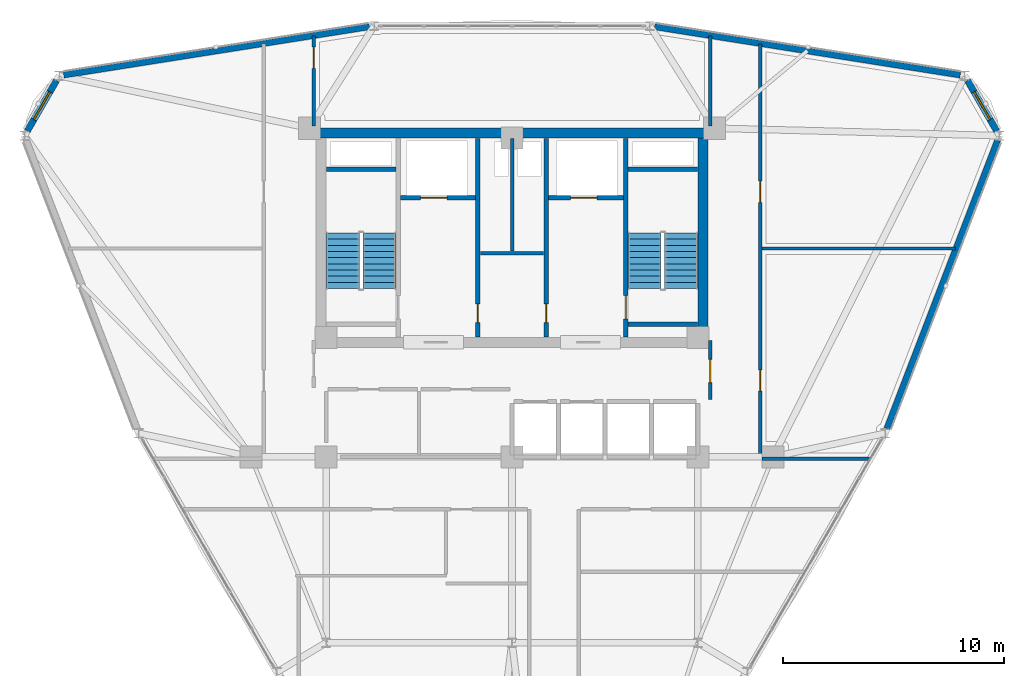
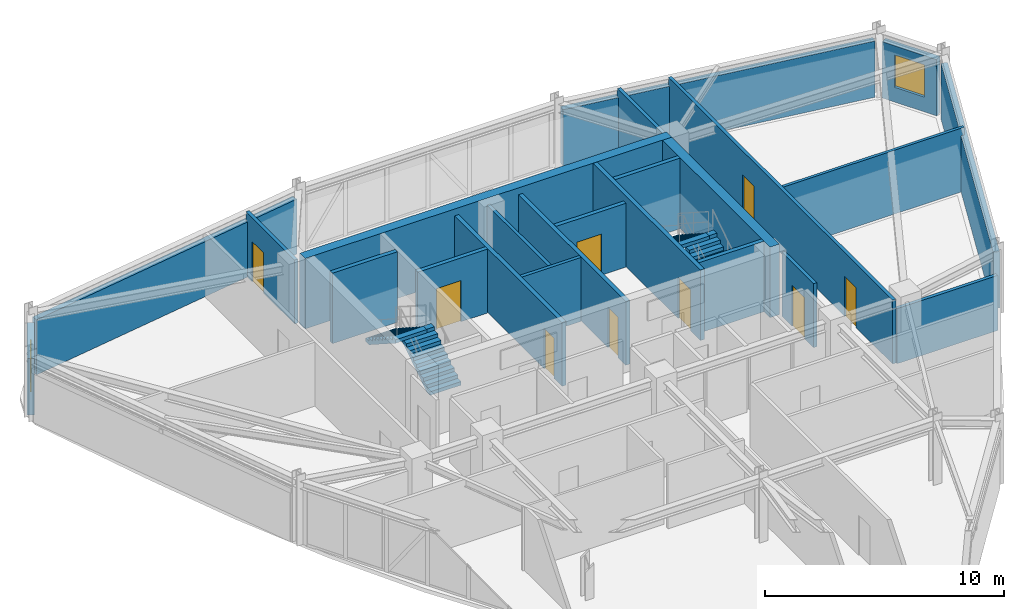
# One storey, part 11 of 14: 23 walls, 9 doors, 4 stair flights, 2 windows, 11 openings, 2 elements without a shape of their own.
"""IFC4 building model written with IfcOpenShell, lengths in metres."""

from ifc_helpers import new_model, si_unit, derived_unit, direction, frame, frame_2d, origin, place, context, subcontext, project, spatial, polyline, rectangle, outline, extrude, material, layer, layer_set, type_object, element, fill, aggregate, save


model = new_model("IFC4")

# Units and contexts
model_context = context("Model", 3, precision=1e-05, world=origin(), true_north=direction((0.0, 1.0)))
body_context = subcontext(model_context, "Body", "Model", "MODEL_VIEW")
ifc_project = project(units=[si_unit("LENGTHUNIT", "METRE"), si_unit("AREAUNIT", "SQUARE_METRE"), si_unit("VOLUMEUNIT", "CUBIC_METRE"), si_unit("PLANEANGLEUNIT", "RADIAN"), si_unit("MASSUNIT", "GRAM", prefix="KILO"), derived_unit("THERMALTRANSMITTANCEUNIT", [(si_unit("POWERUNIT", "WATT"), 1), (si_unit("LENGTHUNIT", "METRE"), -2), (si_unit("THERMODYNAMICTEMPERATUREUNIT", "KELVIN"), -1)])], contexts=[model_context])

# Site, building, storey
site_placement = place(None, origin())
site = spatial("IfcSite", under=ifc_project, at=site_placement, CompositionType="ELEMENT")
building_placement = place(site_placement, origin())
building = spatial("IfcBuilding", under=site, at=building_placement, Name="Korsvarv Bourse and Concert Hall", CompositionType="ELEMENT")
storey_placement = place(building_placement, frame((0.0, 0.0, 197.39990234375)))
storey = spatial("IfcBuildingStorey", under=building, at=storey_placement, Name="L51", CompositionType="ELEMENT", Elevation=197.39990234375)

# Wall
ifc_material_1 = material(Name="Concrete C50/60", Category="concrete")
ifc_layer_1 = layer(ifc_material_1, 0.3798828125)
ifc_layer_set_1 = layer_set([ifc_layer_1], Name="Concrete C50/60")
wall_type_1 = type_object("IfcWallType", Name="WL-CORE-380", PredefinedType="SHEAR", material=ifc_layer_set_1)
wall_1_placement = place(storey_placement, frame((27.610107421875, 45.39990234375, 0.0), z_axis=(0.0, 0.0, 1.0), x_axis=(1.0, 0.0, 0.0)))
element("IfcWall", 1, at=wall_1_placement, inside=storey, type_object=wall_type_1, Name="L51 stair shaft structural wall W-L51-ST1-N", PredefinedType="SHEAR", context=body_context, shape_type="SweptSolid", body=[
    extrude(rectangle(XDim=3.139892578125, YDim=0.199951171875, at=frame_2d((1.56982421875, 0.0))), origin(), (0.0, 0.0, 1.0), 3.60009765625),
])

# Wall, opening, door
wall_2_placement = place(storey_placement, frame((41.139892578125, 37.81005859375, 0.0), z_axis=(0.0, 0.0, 1.0), x_axis=(0.0, 1.0, 0.0)))
wall_2 = element("IfcWall", 2, at=wall_2_placement, inside=storey, type_object=wall_type_1, Name="L51 stair shaft structural wall W-L51-ST2-W", PredefinedType="SHEAR", context=body_context, shape_type="SweptSolid", body=[
    extrude(rectangle(XDim=8.97998046875, YDim=0.199951171875, at=frame_2d((4.489990234375, 0.0))), origin(), (0.0, 0.0, 1.0), 3.60009765625),
])
opening_1_placement = place(wall_2_placement, frame((0.820068359375, 0.0, 0.0)))
opening_1 = element("IfcOpeningElement", 3, at=opening_1_placement, cuts=wall_2, Name="Opening D-01", PredefinedType="OPENING", context=body_context, shape_type="SweptSolid", body=[
    extrude(rectangle(XDim=1.050048828125, YDim=2.10009765625, at=frame_2d((0.52490234375, 1.050048828125))), frame((0.0, 0.10986328125, 0.0), z_axis=(0.0, -1.0, 0.0), x_axis=(1.0, 0.0, 0.0)), (0.0, 0.0, 1.0), 0.219970703125),
])
ifc_material_2 = material(Name="Steel S355 fire door", Category="steel")
door_type_1 = type_object("IfcDoorType", Name="DR-FD60", OperationType="NOTDEFINED", PredefinedType="DOOR", material=ifc_material_2)
door_1_placement = place(opening_1_placement, frame((1.050048828125, 0.0, 0.0), z_axis=(0.0, 0.0, 1.0), x_axis=(-1.0, 0.0, 0.0)))
door_1 = element("IfcDoor", 4, at=door_1_placement, inside=storey, type_object=door_type_1, Name="L51 interior door DR-L51-ST2", OperationType="SINGLE_SWING_RIGHT", OverallHeight=2.10009765625, OverallWidth=1.050048828125, PredefinedType="DOOR", context=body_context, shape_type="SweptSolid", body=[
    extrude(rectangle(XDim=1.050048828125, YDim=2.10009765625, at=frame_2d((0.52490234375, 1.050048828125))), frame((0.0, 0.02490234375, 0.0), z_axis=(0.0, -1.0, 0.0), x_axis=(1.0, 0.0, 0.0)), (0.0, 0.0, 1.0), 0.050048828125),
])
fill(opening_1, door_1)

# Walls
for number, where, z_axis, x_axis, name in (
    (5, (41.25, 45.39990234375, 0.0), (0.0, 0.0, 1.0), (1.0, 0.0, 0.0), "L51 stair shaft structural wall W-L51-ST2-N"),
    (6, (41.25, 38.39990234375, 0.0), (0.0, 0.0, 1.0), (1.0, 0.0, 0.0), "L51 stair shaft structural wall W-L51-ST2-S"),
):
    element("IfcWall", number, at=place(storey_placement, frame(where, z_axis=z_axis, x_axis=x_axis)), inside=storey, type_object=wall_type_1, Name=name, PredefinedType="SHEAR", context=body_context, shape_type="SweptSolid", body=[
        extrude(rectangle(XDim=3.139892578125, YDim=0.199951171875, at=frame_2d((1.56982421875, 0.0))), origin(), (0.0, 0.0, 1.0), 3.60009765625),
    ])
ifc_material_3 = material(Name="Concrete C55/67", Category="concrete")
ifc_layer_2 = layer(ifc_material_3, 0.449951171875)
ifc_layer_set_2 = layer_set([ifc_layer_2], Name="Concrete C55/67")
wall_type_2 = type_object("IfcWallType", Name="WL-CORE-450", PredefinedType="SHEAR", material=ifc_layer_set_2)
wall_3_placement = place(storey_placement, frame((27.14990234375, 47.02490234375, 0.0), z_axis=(0.0, 0.0, 1.0), x_axis=(1.0, 0.0, 0.0)))
element("IfcWall", 7, at=wall_3_placement, inside=storey, type_object=wall_type_2, Name="L51 North Core Shear Wall", PredefinedType="SHEAR", context=body_context, shape_type="SweptSolid", body=[
    extrude(rectangle(XDim=17.7001953125, YDim=0.449951171875, at=frame_2d((8.85009765625, 0.0))), origin(), (0.0, 0.0, 1.0), 3.60009765625),
])
wall_4_placement = place(storey_placement, frame((44.625, 37.800048828125, 0.0), z_axis=(0.0, 0.0, 1.0), x_axis=(0.0, 1.0, 0.0)))
element("IfcWall", 8, at=wall_4_placement, inside=storey, type_object=wall_type_2, Name="L51 East Core Shear Wall", PredefinedType="SHEAR", context=body_context, shape_type="SweptSolid", body=[
    extrude(rectangle(XDim=9.0, YDim=0.449951171875, at=frame_2d((4.5, 0.0))), origin(), (0.0, 0.0, 1.0), 3.60009765625),
])

# Wall, opening, window
ifc_material_4 = material(Name="Precast concrete C45/55 with terracotta rainscreen", Category="concrete")
ifc_layer_3 = layer(ifc_material_4, 0.300048828125)
ifc_layer_set_3 = layer_set([ifc_layer_3], Name="Precast concrete C45/55 with terracotta rainscreen")
wall_type_3 = type_object("IfcWallType", Name="WL-EXT-TC1", PredefinedType="SOLIDWALL", material=ifc_layer_set_3)
wall_5_placement = place(storey_placement, frame((57.9072265625, 47.12548828125, 0.0), z_axis=(0.0, 0.0, 1.0), x_axis=(-0.500061666259, 0.865989797826, 0.0)))
wall_5 = element("IfcWall", 9, at=wall_5_placement, inside=storey, type_object=wall_type_3, Name="L51 terracotta exterior wall EW-L51-B01", PredefinedType="SOLIDWALL", context=body_context, shape_type="SweptSolid", body=[
    extrude(rectangle(XDim=2.637451171875, YDim=0.300048828125, at=frame_2d((1.31884765625, 0.0))), origin(), (0.0, 0.0, 1.0), 2.8701171875),
])
opening_2_placement = place(wall_5_placement, frame((0.59375, 0.0, 0.75)))
opening_2 = element("IfcOpeningElement", 10, at=opening_2_placement, cuts=wall_5, Name="Opening W-02", PredefinedType="OPENING", context=body_context, shape_type="SweptSolid", body=[
    extrude(rectangle(XDim=1.449951171875, YDim=1.64990234375, at=frame_2d((0.72509765625, 0.824951171875))), frame((0.0, 0.16015625, 0.0), z_axis=(0.0, -1.0, 0.0), x_axis=(1.0, 0.0, 0.0)), (0.0, 0.0, 1.0), 0.320068359375),
])
ifc_material_5 = material(Name="Thermally broken aluminium frame with triple low-E glass", Category="glass")
window_type = type_object("IfcWindowType", Name="WIN-TW2", PartitioningType="SINGLE_PANEL", PredefinedType="WINDOW", material=ifc_material_5)
window_1_placement = place(opening_2_placement, origin())
window_1 = element("IfcWindow", 11, at=window_1_placement, inside=storey, type_object=window_type, Name="L51 punched facade window W-02", OverallHeight=1.64990234375, OverallWidth=1.449951171875, PartitioningType="SINGLE_PANEL", PredefinedType="WINDOW", context=body_context, shape_type="SweptSolid", body=[
    extrude(rectangle(XDim=1.449951171875, YDim=1.64990234375, at=frame_2d((0.72509765625, 0.824951171875))), frame((0.0, 0.030029296875, 0.0), z_axis=(0.0, -1.0, 0.0), x_axis=(1.0, 0.0, 0.0)), (0.0, 0.0, 1.0), 0.06005859375),
])
fill(opening_2, window_1)

wall_6_placement = place(storey_placement, frame((15.41162109375, 49.409423828125, 0.0), z_axis=(0.0, 0.0, 1.0), x_axis=(-0.500061666259, -0.865989797826, 0.0)))
wall_6 = element("IfcWall", 12, at=wall_6_placement, inside=storey, type_object=wall_type_3, Name="L51 terracotta exterior wall EW-L51-B05", PredefinedType="SOLIDWALL", context=body_context, shape_type="SweptSolid", body=[
    extrude(rectangle(XDim=2.637451171875, YDim=0.300048828125, at=frame_2d((1.31884765625, 0.0))), origin(), (0.0, 0.0, 1.0), 2.8701171875),
])
opening_3_placement = place(wall_6_placement, frame((0.59375, 0.0, 0.75)))
opening_3 = element("IfcOpeningElement", 13, at=opening_3_placement, cuts=wall_6, Name="Opening W-02", PredefinedType="OPENING", context=body_context, shape_type="SweptSolid", body=[
    extrude(rectangle(XDim=1.449951171875, YDim=1.64990234375, at=frame_2d((0.72509765625, 0.824951171875))), frame((0.0, 0.16015625, 0.0), z_axis=(0.0, -1.0, 0.0), x_axis=(1.0, 0.0, 0.0)), (0.0, 0.0, 1.0), 0.320068359375),
])
window_2_placement = place(opening_3_placement, origin())
window_2 = element("IfcWindow", 14, at=window_2_placement, inside=storey, type_object=window_type, Name="L51 punched facade window W-02", OverallHeight=1.64990234375, OverallWidth=1.449951171875, PartitioningType="SINGLE_PANEL", PredefinedType="WINDOW", context=body_context, shape_type="SweptSolid", body=[
    extrude(rectangle(XDim=1.449951171875, YDim=1.64990234375, at=frame_2d((0.72509765625, 0.824951171875))), frame((0.0, 0.030029296875, 0.0), z_axis=(0.0, -1.0, 0.0), x_axis=(1.0, 0.0, 0.0)), (0.0, 0.0, 1.0), 0.06005859375),
])
fill(opening_3, window_2)

# Walls
ifc_material_6 = material(Name="Precast concrete C45/55 with fluted terracotta pier", Category="concrete")
ifc_layer_4 = layer(ifc_material_6, 0.280029296875)
ifc_layer_set_4 = layer_set([ifc_layer_4], Name="Precast concrete C45/55 with fluted terracotta pier")
wall_type_4 = type_object("IfcWallType", Name="WL-EXT-TC2", PredefinedType="SOLIDWALL", material=ifc_layer_set_4)
wall_7_placement = place(storey_placement, frame((56.257568359375, 49.655517578125, 0.0), z_axis=(0.0, 0.0, 1.0), x_axis=(-0.987743003355, 0.15608894683, 0.0)))
element("IfcWall", 15, at=wall_7_placement, inside=storey, type_object=wall_type_4, Name="L51 terracotta exterior wall EW-L51-B02", PredefinedType="SOLIDWALL", context=body_context, shape_type="SweptSolid", body=[
    extrude(rectangle(XDim=13.98779296875, YDim=0.280029296875, at=frame_2d((6.993896484375, 0.0))), origin(), (0.0, 0.0, 1.0), 2.8701171875),
])
wall_8_placement = place(storey_placement, frame((29.558837890625, 51.8388671875, 0.0), z_axis=(0.0, 0.0, 1.0), x_axis=(-0.987743003355, -0.15608894683, 0.0)))
element("IfcWall", 16, at=wall_8_placement, inside=storey, type_object=wall_type_4, Name="L51 terracotta exterior wall EW-L51-B04", PredefinedType="SOLIDWALL", context=body_context, shape_type="SweptSolid", body=[
    extrude(rectangle(XDim=13.98779296875, YDim=0.280029296875, at=frame_2d((6.993896484375, 0.0))), origin(), (0.0, 0.0, 1.0), 2.81005859375),
])
wall_9_placement = place(storey_placement, frame((52.943603515625, 33.67529296875, 0.0), z_axis=(0.0, 0.0, 1.0), x_axis=(0.358703519473, 0.933451544065, 0.0)))
element("IfcWall", 17, at=wall_9_placement, inside=storey, type_object=wall_type_4, Name="L51 terracotta exterior wall EW-L51-B12", PredefinedType="SOLIDWALL", context=body_context, shape_type="SweptSolid", body=[
    extrude(rectangle(XDim=13.95263671875, YDim=0.280029296875, at=frame_2d((6.976318359375, 0.0))), origin(), (0.0, 0.0, 1.0), 2.8701171875),
])

# Wall, opening, door
ifc_material_7 = material(Name="Reinforced concrete blockwork C35/45 fire wall", Category="concrete")
ifc_layer_5 = layer(ifc_material_7, 0.199951171875)
ifc_layer_set_5 = layer_set([ifc_layer_5], Name="Reinforced concrete blockwork C35/45 fire wall")
wall_type_5 = type_object("IfcWallType", Name="WL-INT-EI120", PredefinedType="PARTITIONING", material=ifc_layer_set_5)
wall_10_placement = place(storey_placement, frame((30.969970703125, 44.10009765625, 0.0), z_axis=(0.0, 0.0, 1.0), x_axis=(1.0, 0.0, 0.0)))
wall_10 = element("IfcWall", 18, at=wall_10_placement, inside=storey, type_object=wall_type_5, Name="L51 interior partition wall W-L51-FF1-S", PredefinedType="PARTITIONING", context=body_context, shape_type="SweptSolid", body=[
    extrude(rectangle(XDim=3.380126953125, YDim=0.199951171875, at=frame_2d((1.68994140625, 0.0))), origin(), (0.0, 0.0, 1.0), 3.260009765625),
])
opening_4_placement = place(wall_10_placement, frame((0.89990234375, 0.0, 0.0)))
opening_4 = element("IfcOpeningElement", 19, at=opening_4_placement, cuts=wall_10, Name="Opening LD-1", PredefinedType="OPENING", context=body_context, shape_type="SweptSolid", body=[
    extrude(rectangle(XDim=1.199951171875, YDim=2.10009765625, at=frame_2d((0.60009765625, 1.050048828125))), frame((0.0, 0.10986328125, 0.0), z_axis=(0.0, -1.0, 0.0), x_axis=(1.0, 0.0, 0.0)), (0.0, 0.0, 1.0), 0.219970703125),
])
ifc_material_8 = material(Name="Stainless Steel S355 firefighting lift landing door", Category="steel")
door_type_2 = type_object("IfcDoorType", Name="DR-LIFT-FF", OperationType="DOUBLE_DOOR_SLIDING", PredefinedType="DOOR", material=ifc_material_8)
door_2_placement = place(opening_4_placement, origin())
door_2 = element("IfcDoor", 20, at=door_2_placement, inside=storey, type_object=door_type_2, Name="L51 lift sliding landing door LD-L51-FF1", OperationType="DOUBLE_DOOR_SLIDING", OverallHeight=2.10009765625, OverallWidth=1.199951171875, PredefinedType="DOOR", context=body_context, shape_type="SweptSolid", body=[
    extrude(rectangle(XDim=1.199951171875, YDim=2.10009765625, at=frame_2d((0.60009765625, 1.050048828125))), frame((0.0, 0.02490234375, 0.0), z_axis=(0.0, -1.0, 0.0), x_axis=(1.0, 0.0, 0.0)), (0.0, 0.0, 1.0), 0.050048828125),
])
fill(opening_4, door_2)

wall_11_placement = place(storey_placement, frame((37.64990234375, 44.10009765625, 0.0), z_axis=(0.0, 0.0, 1.0), x_axis=(1.0, 0.0, 0.0)))
wall_11 = element("IfcWall", 21, at=wall_11_placement, inside=storey, type_object=wall_type_5, Name="L51 interior partition wall W-L51-FF2-S", PredefinedType="PARTITIONING", context=body_context, shape_type="SweptSolid", body=[
    extrude(rectangle(XDim=3.380126953125, YDim=0.199951171875, at=frame_2d((1.68994140625, 0.0))), origin(), (0.0, 0.0, 1.0), 3.260009765625),
])
opening_5_placement = place(wall_11_placement, frame((1.0, 0.0, 0.0)))
opening_5 = element("IfcOpeningElement", 22, at=opening_5_placement, cuts=wall_11, Name="Opening LD-1", PredefinedType="OPENING", context=body_context, shape_type="SweptSolid", body=[
    extrude(rectangle(XDim=1.199951171875, YDim=2.10009765625, at=frame_2d((0.60009765625, 1.050048828125))), frame((0.0, 0.10986328125, 0.0), z_axis=(0.0, -1.0, 0.0), x_axis=(1.0, 0.0, 0.0)), (0.0, 0.0, 1.0), 0.219970703125),
])
door_3_placement = place(opening_5_placement, origin())
door_3 = element("IfcDoor", 23, at=door_3_placement, inside=storey, type_object=door_type_2, Name="L51 lift sliding landing door LD-L51-FF2", OperationType="DOUBLE_DOOR_SLIDING", OverallHeight=2.10009765625, OverallWidth=1.199951171875, PredefinedType="DOOR", context=body_context, shape_type="SweptSolid", body=[
    extrude(rectangle(XDim=1.199951171875, YDim=2.10009765625, at=frame_2d((0.60009765625, 1.050048828125))), frame((0.0, 0.02490234375, 0.0), z_axis=(0.0, -1.0, 0.0), x_axis=(1.0, 0.0, 0.0)), (0.0, 0.0, 1.0), 0.050048828125),
])
fill(opening_5, door_3)

wall_12_placement = place(storey_placement, frame((34.4599609375, 37.81005859375, 0.0), z_axis=(0.0, 0.0, 1.0), x_axis=(0.0, 1.0, 0.0)))
wall_12 = element("IfcWall", 24, at=wall_12_placement, inside=storey, type_object=wall_type_5, Name="L51 interior partition wall W-L51-CSB-W", PredefinedType="PARTITIONING", context=body_context, shape_type="SweptSolid", body=[
    extrude(rectangle(XDim=8.97998046875, YDim=0.199951171875, at=frame_2d((4.489990234375, 0.0))), origin(), (0.0, 0.0, 1.0), 3.260009765625),
])
opening_6_placement = place(wall_12_placement, frame((0.64990234375, 0.0, 0.0)))
opening_6 = element("IfcOpeningElement", 25, at=opening_6_placement, cuts=wall_12, Name="Opening D-05", PredefinedType="OPENING", context=body_context, shape_type="SweptSolid", body=[
    extrude(rectangle(XDim=0.85009765625, YDim=2.050048828125, at=frame_2d((0.425048828125, 1.02490234375))), frame((0.0, 0.10986328125, 0.0), z_axis=(0.0, -1.0, 0.0), x_axis=(1.0, 0.0, 0.0)), (0.0, 0.0, 1.0), 0.219970703125),
])
door_type_3 = type_object("IfcDoorType", Name="DR-FD60-850X2050", OperationType="NOTDEFINED", PredefinedType="DOOR", material=ifc_material_2)
door_4_placement = place(opening_6_placement, frame((0.85009765625, 0.0, 0.0), z_axis=(0.0, 0.0, 1.0), x_axis=(-1.0, 0.0, 0.0)))
door_4 = element("IfcDoor", 26, at=door_4_placement, inside=storey, type_object=door_type_3, Name="L51 interior door DR-L51-CSB1", OperationType="SINGLE_SWING_LEFT", OverallHeight=2.050048828125, OverallWidth=0.85009765625, PredefinedType="DOOR", context=body_context, shape_type="SweptSolid", body=[
    extrude(rectangle(XDim=0.85009765625, YDim=2.050048828125, at=frame_2d((0.425048828125, 1.02490234375))), frame((0.0, 0.02490234375, 0.0), z_axis=(0.0, -1.0, 0.0), x_axis=(1.0, 0.0, 0.0)), (0.0, 0.0, 1.0), 0.050048828125),
])
fill(opening_6, door_4)

wall_13_placement = place(storey_placement, frame((37.5400390625, 37.81005859375, 0.0), z_axis=(0.0, 0.0, 1.0), x_axis=(0.0, 1.0, 0.0)))
wall_13 = element("IfcWall", 27, at=wall_13_placement, inside=storey, type_object=wall_type_5, Name="L51 interior partition wall W-L51-CSB-E", PredefinedType="PARTITIONING", context=body_context, shape_type="SweptSolid", body=[
    extrude(rectangle(XDim=8.97998046875, YDim=0.199951171875, at=frame_2d((4.489990234375, 0.0))), origin(), (0.0, 0.0, 1.0), 3.260009765625),
])
opening_7_placement = place(wall_13_placement, frame((0.64990234375, 0.0, 0.0)))
opening_7 = element("IfcOpeningElement", 28, at=opening_7_placement, cuts=wall_13, Name="Opening D-05", PredefinedType="OPENING", context=body_context, shape_type="SweptSolid", body=[
    extrude(rectangle(XDim=0.85009765625, YDim=2.050048828125, at=frame_2d((0.425048828125, 1.02490234375))), frame((0.0, 0.10986328125, 0.0), z_axis=(0.0, -1.0, 0.0), x_axis=(1.0, 0.0, 0.0)), (0.0, 0.0, 1.0), 0.219970703125),
])
door_5_placement = place(opening_7_placement, origin())
door_5 = element("IfcDoor", 29, at=door_5_placement, inside=storey, type_object=door_type_3, Name="L51 interior door DR-L51-CSB2", OperationType="SINGLE_SWING_RIGHT", OverallHeight=2.050048828125, OverallWidth=0.85009765625, PredefinedType="DOOR", context=body_context, shape_type="SweptSolid", body=[
    extrude(rectangle(XDim=0.85009765625, YDim=2.050048828125, at=frame_2d((0.425048828125, 1.02490234375))), frame((0.0, 0.02490234375, 0.0), z_axis=(0.0, -1.0, 0.0), x_axis=(1.0, 0.0, 0.0)), (0.0, 0.0, 1.0), 0.050048828125),
])
fill(opening_7, door_5)

# Walls
ifc_material_9 = material(Name="Double-stud fire-rated acoustic partition", Category="gypsum")
ifc_layer_6 = layer(ifc_material_9, 0.159912109375)
ifc_layer_set_6 = layer_set([ifc_layer_6], Name="Double-stud fire-rated acoustic partition")
wall_type_6 = type_object("IfcWallType", Name="WL-INT-EI60", PredefinedType="PARTITIONING", material=ifc_layer_set_6)
wall_14_placement = place(storey_placement, frame((34.570068359375, 41.60009765625, 0.0), z_axis=(0.0, 0.0, 1.0), x_axis=(1.0, 0.0, 0.0)))
element("IfcWall", 30, at=wall_14_placement, inside=storey, type_object=wall_type_6, Name="L51 interior partition wall W-L51-K1", PredefinedType="PARTITIONING", context=body_context, shape_type="SweptSolid", body=[
    extrude(rectangle(XDim=2.85986328125, YDim=0.159912109375, at=frame_2d((1.429931640625, 0.0))), origin(), (0.0, 0.0, 1.0), 3.260009765625),
])
wall_15_placement = place(storey_placement, frame((36.0048828125, 41.68994140625, 0.0), z_axis=(0.0, 0.0, 1.0), x_axis=(0.0, 1.0, 0.0)))
element("IfcWall", 31, at=wall_15_placement, inside=storey, type_object=wall_type_6, Name="L51 interior partition wall W-L51-K2", PredefinedType="PARTITIONING", context=body_context, shape_type="SweptSolid", body=[
    extrude(rectangle(XDim=5.10009765625, YDim=0.159912109375, at=frame_2d((2.550048828125, 0.0))), origin(), (0.0, 0.0, 1.0), 3.260009765625),
])

# Wall, opening, door
wall_16_placement = place(storey_placement, frame((44.9599609375, 35.0, 0.0), z_axis=(0.0, 0.0, 1.0), x_axis=(0.0, 1.0, 0.0)))
wall_16 = element("IfcWall", 32, at=wall_16_placement, inside=storey, type_object=wall_type_6, Name="L51 interior partition wall W-L51-LOB-E", PredefinedType="PARTITIONING", context=body_context, shape_type="SweptSolid", body=[
    extrude(rectangle(XDim=2.64990234375, YDim=0.159912109375, at=frame_2d((1.324951171875, 0.0))), origin(), (0.0, 0.0, 1.0), 3.260009765625),
])
opening_8_placement = place(wall_16_placement, frame((0.75, 0.0, 0.0)))
opening_8 = element("IfcOpeningElement", 33, at=opening_8_placement, cuts=wall_16, Name="Opening D-01", PredefinedType="OPENING", context=body_context, shape_type="SweptSolid", body=[
    extrude(rectangle(XDim=1.050048828125, YDim=2.10009765625, at=frame_2d((0.52490234375, 1.050048828125))), frame((0.0, 0.08984375, 0.0), z_axis=(0.0, -1.0, 0.0), x_axis=(1.0, 0.0, 0.0)), (0.0, 0.0, 1.0), 0.179931640625),
])
door_6_placement = place(opening_8_placement, origin())
door_6 = element("IfcDoor", 34, at=door_6_placement, inside=storey, type_object=door_type_1, Name="L51 interior door DR-L51-LOBE", OperationType="SINGLE_SWING_RIGHT", OverallHeight=2.10009765625, OverallWidth=1.050048828125, PredefinedType="DOOR", context=body_context, shape_type="SweptSolid", body=[
    extrude(rectangle(XDim=1.050048828125, YDim=2.10009765625, at=frame_2d((0.52490234375, 1.050048828125))), frame((0.0, 0.02490234375, 0.0), z_axis=(0.0, -1.0, 0.0), x_axis=(1.0, 0.0, 0.0)), (0.0, 0.0, 1.0), 0.050048828125),
])
fill(opening_8, door_6)

# Wall, openings, doors
wall_17_placement = place(storey_placement, frame((47.22509765625, 32.31005859375, 0.0), z_axis=(0.0, 0.0, 1.0), x_axis=(0.0, 1.0, 0.0)))
wall_17 = element("IfcWall", 35, at=wall_17_placement, inside=storey, type_object=wall_type_6, Name="L51 interior partition wall W-L51-TCOR-01", PredefinedType="PARTITIONING", context=body_context, shape_type="SweptSolid", body=[
    extrude(rectangle(XDim=18.7529296875, YDim=0.159912109375, at=frame_2d((9.37646484375, 0.0))), origin(), (0.0, 0.0, 1.0), 3.260009765625),
])
opening_9_placement = place(wall_17_placement, frame((3.060302734375, 0.0, 0.0)))
opening_9 = element("IfcOpeningElement", 36, at=opening_9_placement, cuts=wall_17, Name="Opening D-02", PredefinedType="OPENING", context=body_context, shape_type="SweptSolid", body=[
    extrude(rectangle(XDim=0.949951171875, YDim=2.050048828125, at=frame_2d((0.47509765625, 1.02490234375))), frame((0.0, 0.08984375, 0.0), z_axis=(0.0, -1.0, 0.0), x_axis=(1.0, 0.0, 0.0)), (0.0, 0.0, 1.0), 0.179931640625),
])
opening_10_placement = place(wall_17_placement, frame((11.593017578125, 0.0, 0.0)))
opening_10 = element("IfcOpeningElement", 37, at=opening_10_placement, cuts=wall_17, Name="Opening D-02", PredefinedType="OPENING", context=body_context, shape_type="SweptSolid", body=[
    extrude(rectangle(XDim=0.949951171875, YDim=2.050048828125, at=frame_2d((0.47509765625, 1.02490234375))), frame((0.0, 0.08984375, 0.0), z_axis=(0.0, -1.0, 0.0), x_axis=(1.0, 0.0, 0.0)), (0.0, 0.0, 1.0), 0.179931640625),
])
ifc_material_10 = material(Name="Timber and steel acoustic fire door", Category="wood")
door_type_4 = type_object("IfcDoorType", Name="DR-FD30", OperationType="NOTDEFINED", PredefinedType="DOOR", material=ifc_material_10)
door_7_placement = place(opening_9_placement, origin())
door_7 = element("IfcDoor", 38, at=door_7_placement, inside=storey, type_object=door_type_4, Name="L51 interior door DR-L51-TCOR-FN81", OperationType="SINGLE_SWING_LEFT", OverallHeight=2.050048828125, OverallWidth=0.949951171875, PredefinedType="DOOR", context=body_context, shape_type="SweptSolid", body=[
    extrude(rectangle(XDim=0.949951171875, YDim=2.050048828125, at=frame_2d((0.47509765625, 1.02490234375))), frame((0.0, 0.02490234375, 0.0), z_axis=(0.0, -1.0, 0.0), x_axis=(1.0, 0.0, 0.0)), (0.0, 0.0, 1.0), 0.050048828125),
])
fill(opening_9, door_7)
door_8_placement = place(opening_10_placement, origin())
door_8 = element("IfcDoor", 39, at=door_8_placement, inside=storey, type_object=door_type_4, Name="L51 interior door DR-L51-TCOR-RM22", OperationType="SINGLE_SWING_RIGHT", OverallHeight=2.050048828125, OverallWidth=0.949951171875, PredefinedType="DOOR", context=body_context, shape_type="SweptSolid", body=[
    extrude(rectangle(XDim=0.949951171875, YDim=2.050048828125, at=frame_2d((0.47509765625, 1.02490234375))), frame((0.0, 0.02490234375, 0.0), z_axis=(0.0, -1.0, 0.0), x_axis=(1.0, 0.0, 0.0)), (0.0, 0.0, 1.0), 0.050048828125),
])
fill(opening_10, door_8)

# Wall
wall_18_placement = place(storey_placement, frame((47.306884765625, 32.31494140625, 0.0), z_axis=(0.0, 0.0, 1.0), x_axis=(1.0, 0.0, 0.0)))
element("IfcWall", 40, at=wall_18_placement, inside=storey, type_object=wall_type_6, Name="L51 interior partition wall W-L51-TCOR-07", PredefinedType="PARTITIONING", context=body_context, shape_type="SweptSolid", body=[
    extrude(rectangle(XDim=4.872802734375, YDim=0.159912109375, at=frame_2d((2.4365234375, 0.0))), origin(), (0.0, 0.0, 1.0), 2.81005859375),
])

# Wall, opening, door
wall_19_placement = place(storey_placement, frame((27.034912109375, 47.340087890625, 0.0), z_axis=(0.0, 0.0, 1.0), x_axis=(0.0, 1.0, 0.0)))
wall_19 = element("IfcWall", 41, at=wall_19_placement, inside=storey, type_object=wall_type_6, Name="L51 interior partition wall W-L51-TCOR-09", PredefinedType="PARTITIONING", context=body_context, shape_type="SweptSolid", body=[
    extrude(rectangle(XDim=4.079833984375, YDim=0.159912109375, at=frame_2d((2.0400390625, 0.0))), origin(), (0.0, 0.0, 1.0), 3.260009765625),
])
opening_11_placement = place(wall_19_placement, frame((2.618408203125, 0.0, 0.0)))
opening_11 = element("IfcOpeningElement", 42, at=opening_11_placement, cuts=wall_19, Name="Opening D-02", PredefinedType="OPENING", context=body_context, shape_type="SweptSolid", body=[
    extrude(rectangle(XDim=0.949951171875, YDim=2.050048828125, at=frame_2d((0.47509765625, 1.02490234375))), frame((0.0, 0.08984375, 0.0), z_axis=(0.0, -1.0, 0.0), x_axis=(1.0, 0.0, 0.0)), (0.0, 0.0, 1.0), 0.179931640625),
])
door_9_placement = place(opening_11_placement, origin())
door_9 = element("IfcDoor", 43, at=door_9_placement, inside=storey, type_object=door_type_4, Name="L51 interior door DR-L51-TCOR-FN55", OperationType="SINGLE_SWING_RIGHT", OverallHeight=2.050048828125, OverallWidth=0.949951171875, PredefinedType="DOOR", context=body_context, shape_type="SweptSolid", body=[
    extrude(rectangle(XDim=0.949951171875, YDim=2.050048828125, at=frame_2d((0.47509765625, 1.02490234375))), frame((0.0, 0.02490234375, 0.0), z_axis=(0.0, -1.0, 0.0), x_axis=(1.0, 0.0, 0.0)), (0.0, 0.0, 1.0), 0.050048828125),
])
fill(opening_11, door_9)

# Walls
wall_20_placement = place(storey_placement, frame((44.965087890625, 47.340087890625, 0.0), z_axis=(0.0, 0.0, 1.0), x_axis=(0.0, 1.0, 0.0)))
element("IfcWall", 44, at=wall_20_placement, inside=storey, type_object=wall_type_6, Name="L51 interior partition wall W-L51-TCOR-10", PredefinedType="PARTITIONING", context=body_context, shape_type="SweptSolid", body=[
    extrude(rectangle(XDim=4.079833984375, YDim=0.159912109375, at=frame_2d((2.0400390625, 0.0))), origin(), (0.0, 0.0, 1.0), 3.260009765625),
])
ifc_material_11 = material(Name="Insulated steel-stud office acoustic partition", Category="gypsum")
ifc_layer_7 = layer(ifc_material_11, 0.139892578125)
ifc_layer_set_7 = layer_set([ifc_layer_7], Name="Insulated steel-stud office acoustic partition")
wall_type_7 = type_object("IfcWallType", Name="WL-INT-P1", PredefinedType="PARTITIONING", material=ifc_layer_set_7)
wall_21_placement = place(storey_placement, frame((47.306884765625, 41.804931640625, 0.0), z_axis=(0.0, 0.0, 1.0), x_axis=(1.0, 0.0, 0.0)))
element("IfcWall", 45, at=wall_21_placement, inside=storey, type_object=wall_type_7, Name="L51 interior partition wall W-L51-TCOR-13", PredefinedType="PARTITIONING", context=body_context, shape_type="SweptSolid", body=[
    extrude(rectangle(XDim=8.74072265625, YDim=0.139892578125, at=frame_2d((4.370361328125, 0.0))), origin(), (0.0, 0.0, 1.0), 3.260009765625),
])

# Stair, stair flights
ifc_material_12 = material(Name="Precast concrete C45/55", Category="concrete")
stair_type = type_object("IfcStairType", Name="STR-TYPE-04", PredefinedType="HALF_TURN_STAIR", material=ifc_material_12)
stair_1_placement = place(storey_placement, origin())
stair_1 = element("IfcStair", 46, at=stair_1_placement, inside=storey, type_object=stair_type, Name="L51 Tower West Exit Stair ST-T1", PredefinedType="HALF_TURN_STAIR")
stair_flight_type = type_object("IfcStairFlightType", Name="FLT-TYPE-04", PredefinedType="STRAIGHT", material=ifc_material_12)
stair_flight_1_placement = place(storey_placement, frame((30.010009765625, 40.0, 0.0), z_axis=(0.0, 0.0, 1.0), x_axis=(0.0, 1.0, 0.0)))
stair_flight_1 = element("IfcStairFlight", 47, at=stair_flight_1_placement, type_object=stair_flight_type, Name="ST-T1 flight 1", NumberOfRisers=10, NumberOfTreads=9, PredefinedType="STRAIGHT", RiserHeight=0.18, TreadLength=0.28, context=body_context, shape_type="SweptSolid", body=[
    extrude(outline(polyline([(0.0, 0.0), (0.0, 0.179931640625), (0.280029296875, 0.179931640625), (0.280029296875, 0.360107421875), (0.56005859375, 0.360107421875), (0.56005859375, 0.5400390625), (0.840087890625, 0.5400390625), (0.840087890625, 0.719970703125), (1.1201171875, 0.719970703125), (1.1201171875, 0.89990234375), (1.39990234375, 0.89990234375), (1.39990234375, 1.080078125), (1.679931640625, 1.080078125), (1.679931640625, 1.260009765625), (1.9599609375, 1.260009765625), (1.9599609375, 1.43994140625), (2.239990234375, 1.43994140625), (2.239990234375, 1.6201171875), (2.52001953125, 1.6201171875), (2.52001953125, 1.800048828125), (2.52001953125, 1.44189453125), (0.277099609375, 0.0), (0.0, 0.0)])), frame((0.0, 0.75, 0.0), z_axis=(0.0, -1.0, 0.0), x_axis=(1.0, 0.0, 0.0)), (0.0, 0.0, 1.0), 1.5),
])
stair_flight_2_placement = place(storey_placement, frame((28.35009765625, 42.52001953125, 1.800048828125), z_axis=(0.0, 0.0, 1.0), x_axis=(0.0, -1.0, 0.0)))
stair_flight_2 = element("IfcStairFlight", 48, at=stair_flight_2_placement, type_object=stair_flight_type, Name="ST-T1 flight 2", NumberOfRisers=10, NumberOfTreads=9, PredefinedType="STRAIGHT", RiserHeight=0.18, TreadLength=0.28, context=body_context, shape_type="SweptSolid", body=[
    extrude(outline(polyline([(0.0, 0.0), (0.0, 0.179931640625), (0.280029296875, 0.179931640625), (0.280029296875, 0.360107421875), (0.56005859375, 0.360107421875), (0.56005859375, 0.5400390625), (0.840087890625, 0.5400390625), (0.840087890625, 0.719970703125), (1.1201171875, 0.719970703125), (1.1201171875, 0.89990234375), (1.39990234375, 0.89990234375), (1.39990234375, 1.080078125), (1.679931640625, 1.080078125), (1.679931640625, 1.260009765625), (1.9599609375, 1.260009765625), (1.9599609375, 1.43994140625), (2.239990234375, 1.43994140625), (2.239990234375, 1.6201171875), (2.52001953125, 1.6201171875), (2.52001953125, 1.800048828125), (2.52001953125, 1.44189453125), (0.277099609375, 0.0), (0.0, 0.0)])), frame((0.0, 0.75, 0.0), z_axis=(0.0, -1.0, 0.0), x_axis=(1.0, 0.0, 0.0)), (0.0, 0.0, 1.0), 1.5),
])
aggregate(stair_1, [stair_flight_1, stair_flight_2])

stair_2_placement = place(storey_placement, origin())
stair_2 = element("IfcStair", 49, at=stair_2_placement, inside=storey, type_object=stair_type, Name="L51 Tower East Exit Stair ST-T2", PredefinedType="HALF_TURN_STAIR")
stair_flight_3_placement = place(storey_placement, frame((43.64990234375, 40.0, 0.0), z_axis=(0.0, 0.0, 1.0), x_axis=(0.0, 1.0, 0.0)))
stair_flight_3 = element("IfcStairFlight", 50, at=stair_flight_3_placement, type_object=stair_flight_type, Name="ST-T2 flight 1", NumberOfRisers=10, NumberOfTreads=9, PredefinedType="STRAIGHT", RiserHeight=0.18, TreadLength=0.28, context=body_context, shape_type="SweptSolid", body=[
    extrude(outline(polyline([(0.0, 0.0), (0.0, 0.179931640625), (0.280029296875, 0.179931640625), (0.280029296875, 0.360107421875), (0.56005859375, 0.360107421875), (0.56005859375, 0.5400390625), (0.840087890625, 0.5400390625), (0.840087890625, 0.719970703125), (1.1201171875, 0.719970703125), (1.1201171875, 0.89990234375), (1.39990234375, 0.89990234375), (1.39990234375, 1.080078125), (1.679931640625, 1.080078125), (1.679931640625, 1.260009765625), (1.9599609375, 1.260009765625), (1.9599609375, 1.43994140625), (2.239990234375, 1.43994140625), (2.239990234375, 1.6201171875), (2.52001953125, 1.6201171875), (2.52001953125, 1.800048828125), (2.52001953125, 1.44189453125), (0.277099609375, 0.0), (0.0, 0.0)])), frame((0.0, 0.75, 0.0), z_axis=(0.0, -1.0, 0.0), x_axis=(1.0, 0.0, 0.0)), (0.0, 0.0, 1.0), 1.5),
])
stair_flight_4_placement = place(storey_placement, frame((41.989990234375, 42.52001953125, 1.800048828125), z_axis=(0.0, 0.0, 1.0), x_axis=(0.0, -1.0, 0.0)))
stair_flight_4 = element("IfcStairFlight", 51, at=stair_flight_4_placement, type_object=stair_flight_type, Name="ST-T2 flight 2", NumberOfRisers=10, NumberOfTreads=9, PredefinedType="STRAIGHT", RiserHeight=0.18, TreadLength=0.28, context=body_context, shape_type="SweptSolid", body=[
    extrude(outline(polyline([(0.0, 0.0), (0.0, 0.179931640625), (0.280029296875, 0.179931640625), (0.280029296875, 0.360107421875), (0.56005859375, 0.360107421875), (0.56005859375, 0.5400390625), (0.840087890625, 0.5400390625), (0.840087890625, 0.719970703125), (1.1201171875, 0.719970703125), (1.1201171875, 0.89990234375), (1.39990234375, 0.89990234375), (1.39990234375, 1.080078125), (1.679931640625, 1.080078125), (1.679931640625, 1.260009765625), (1.9599609375, 1.260009765625), (1.9599609375, 1.43994140625), (2.239990234375, 1.43994140625), (2.239990234375, 1.6201171875), (2.52001953125, 1.6201171875), (2.52001953125, 1.800048828125), (2.52001953125, 1.44189453125), (0.277099609375, 0.0), (0.0, 0.0)])), frame((0.0, 0.75, 0.0), z_axis=(0.0, -1.0, 0.0), x_axis=(1.0, 0.0, 0.0)), (0.0, 0.0, 1.0), 1.5),
])
aggregate(stair_2, [stair_flight_3, stair_flight_4])

save(model, "model.ifc")
